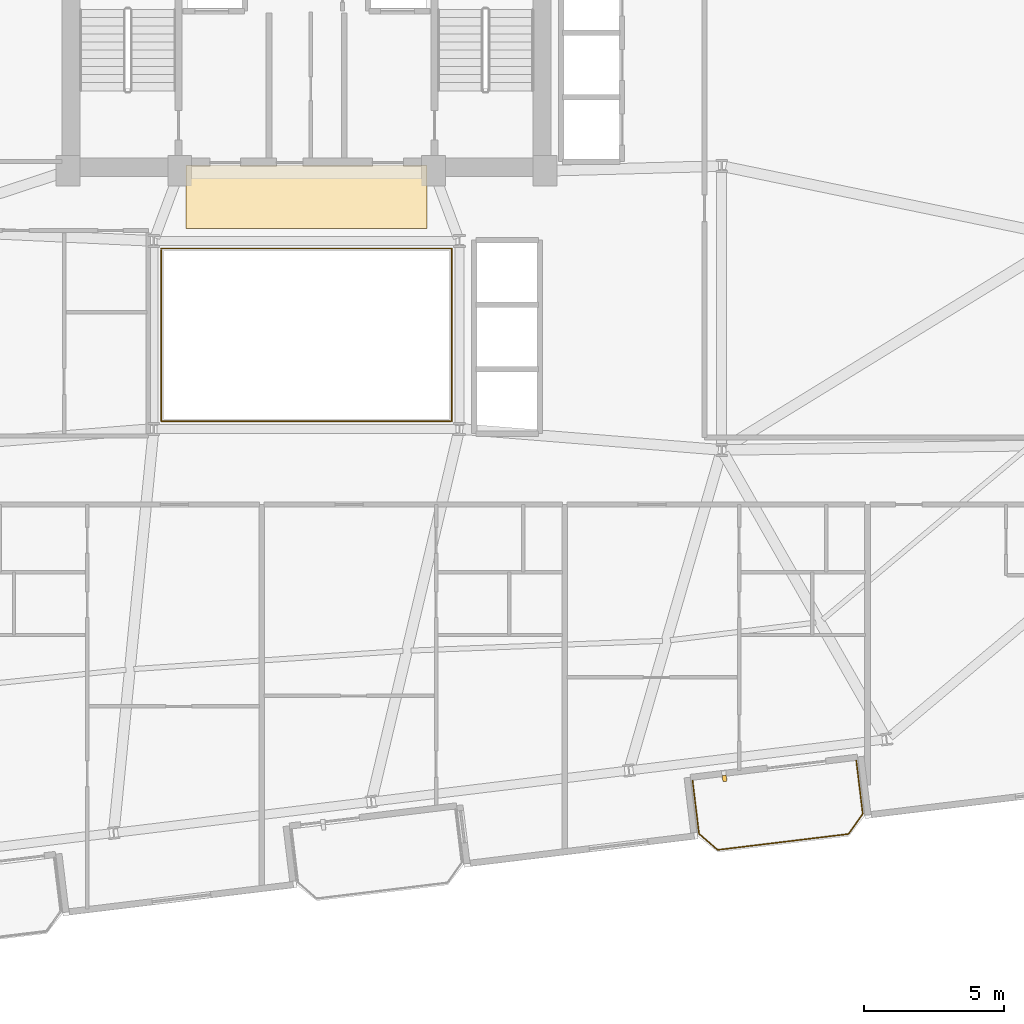
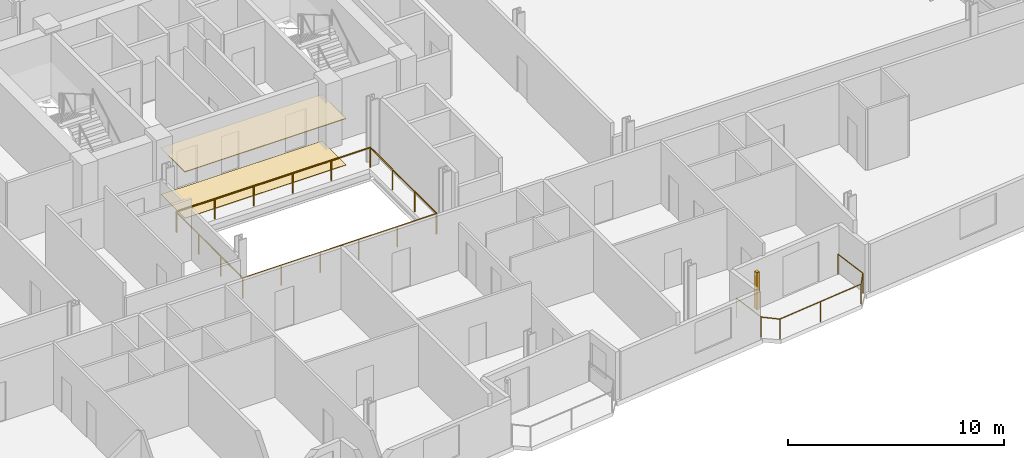
# One storey, part 22 of 24: 3 railings, 2 coverings, 1 shading device.
"""IFC4 building model written with IfcOpenShell, lengths in metres."""

from ifc_helpers import new_model, si_unit, direction, frame, origin, origin_2d, place, context, subcontext, project, spatial, rectangle, circle, extrude, source, transform, mapped, material, layer, layer_set, type_object, element, save


model = new_model("IFC4")

# Units and contexts
model_context = context("Model", 3, precision=1e-05, world=origin(), true_north=direction((0.0, 1.0)))
body_context = subcontext(model_context, "Body", "Model", "MODEL_VIEW")
ifc_project = project(units=[si_unit("LENGTHUNIT", "METRE"), si_unit("AREAUNIT", "SQUARE_METRE"), si_unit("VOLUMEUNIT", "CUBIC_METRE"), si_unit("PLANEANGLEUNIT", "RADIAN"), si_unit("MASSUNIT", "GRAM", prefix="KILO")], contexts=[model_context])

# Site, building, storey
site_placement = place(None, origin())
site = spatial("IfcSite", under=ifc_project, at=site_placement, CompositionType="ELEMENT")
building_placement = place(site_placement, origin())
building = spatial("IfcBuilding", under=site, at=building_placement, Name="Varnelok Gate Tower", CompositionType="ELEMENT")
storey_placement = place(building_placement, frame((0.0, 0.0, 167.199951171875)))
storey = spatial("IfcBuildingStorey", under=building, at=storey_placement, Name="L42", CompositionType="ELEMENT", Elevation=167.199951171875)

# Railings
ifc_material_1 = material(Name="Tempered Laminated Balustrade Glass", Category="glass")
railing_type_1 = type_object("IfcRailingType", Name="RL-ATR-GUARD1150", PredefinedType="GUARDRAIL", material=ifc_material_1)
railing_1_placement = place(storey_placement, frame((34.02001953125, 25.929931640625, 0.0)))
element("IfcRailing", 1, at=railing_1_placement, inside=storey, type_object=railing_type_1, Name="L42 Internal Atrium South-West Guardrail", PredefinedType="GUARDRAIL", context=body_context, shape_type="SweptSolid", body=[
    extrude(circle(Radius=0.02392578125, at=origin_2d()), frame((0.0, 0.0, 1.1259765625), z_axis=(0.0, -1.0, 0.0), x_axis=(1.0, 0.0, 0.0)), (0.0, 0.0, 1.0), 6.10986328125),
    extrude(circle(Radius=0.02392578125, at=origin_2d()), frame((0.0, -6.10986328125, 1.1259765625), z_axis=(1.0, 0.0, 0.0), x_axis=(0.0, 1.0, 0.0)), (0.0, 0.0, 1.0), 10.31005859375),
    extrude(circle(Radius=0.02099609375, at=origin_2d()), origin(), (0.0, 0.0, 1.0), 1.101806640625),
    extrude(circle(Radius=0.02099609375, at=origin_2d()), frame((0.0, -2.03662109375, 0.0)), (0.0, 0.0, 1.0), 1.101806640625),
    extrude(circle(Radius=0.02099609375, at=origin_2d()), frame((0.0, -4.0732421875, 0.0)), (0.0, 0.0, 1.0), 1.101806640625),
    extrude(circle(Radius=0.02099609375, at=origin_2d()), frame((0.0, -6.10986328125, 0.0)), (0.0, 0.0, 1.0), 1.101806640625),
    extrude(circle(Radius=0.02099609375, at=origin_2d()), frame((2.06201171875, -6.10986328125, 0.0)), (0.0, 0.0, 1.0), 1.101806640625),
    extrude(circle(Radius=0.02099609375, at=origin_2d()), frame((4.1240234375, -6.10986328125, 0.0)), (0.0, 0.0, 1.0), 1.101806640625),
    extrude(circle(Radius=0.02099609375, at=origin_2d()), frame((6.18603515625, -6.10986328125, 0.0)), (0.0, 0.0, 1.0), 1.101806640625),
    extrude(circle(Radius=0.02099609375, at=origin_2d()), frame((8.248046875, -6.10986328125, 0.0)), (0.0, 0.0, 1.0), 1.101806640625),
    extrude(circle(Radius=0.02099609375, at=origin_2d()), frame((10.31005859375, -6.10986328125, 0.0)), (0.0, 0.0, 1.0), 1.101806640625),
])
railing_2_placement = place(storey_placement, frame((44.3798828125, 19.820068359375, 0.0)))
element("IfcRailing", 2, at=railing_2_placement, inside=storey, type_object=railing_type_1, Name="L42 Internal Atrium North-East Guardrail", PredefinedType="GUARDRAIL", context=body_context, shape_type="SweptSolid", body=[
    extrude(circle(Radius=0.02392578125, at=origin_2d()), frame((0.0, 0.0, 1.1259765625), z_axis=(0.0, 1.0, 0.0), x_axis=(-1.0, 0.0, 0.0)), (0.0, 0.0, 1.0), 6.159912109375),
    extrude(circle(Radius=0.02392578125, at=origin_2d()), frame((0.0, 6.159912109375, 1.1259765625), z_axis=(-1.0, 0.0, 0.0), x_axis=(0.0, -1.0, 0.0)), (0.0, 0.0, 1.0), 10.35986328125),
    extrude(circle(Radius=0.02099609375, at=origin_2d()), origin(), (0.0, 0.0, 1.0), 1.101806640625),
    extrude(circle(Radius=0.02099609375, at=origin_2d()), frame((0.0, 2.05322265625, 0.0)), (0.0, 0.0, 1.0), 1.101806640625),
    extrude(circle(Radius=0.02099609375, at=origin_2d()), frame((0.0, 4.106689453125, 0.0)), (0.0, 0.0, 1.0), 1.101806640625),
    extrude(circle(Radius=0.02099609375, at=origin_2d()), frame((0.0, 6.159912109375, 0.0)), (0.0, 0.0, 1.0), 1.101806640625),
    extrude(circle(Radius=0.02099609375, at=origin_2d()), frame((-2.072021484375, 6.159912109375, 0.0)), (0.0, 0.0, 1.0), 1.101806640625),
    extrude(circle(Radius=0.02099609375, at=origin_2d()), frame((-4.14404296875, 6.159912109375, 0.0)), (0.0, 0.0, 1.0), 1.101806640625),
    extrude(circle(Radius=0.02099609375, at=origin_2d()), frame((-6.2158203125, 6.159912109375, 0.0)), (0.0, 0.0, 1.0), 1.101806640625),
    extrude(circle(Radius=0.02099609375, at=origin_2d()), frame((-8.287841796875, 6.159912109375, 0.0)), (0.0, 0.0, 1.0), 1.101806640625),
    extrude(circle(Radius=0.02099609375, at=origin_2d()), frame((-10.35986328125, 6.159912109375, 0.0)), (0.0, 0.0, 1.0), 1.101806640625),
])
ifc_material_2 = material(Name="Low-E Laminated Double Glazing IGU", Category="glass")
railing_type_2 = type_object("IfcRailingType", Name="RL-BALC-1150", PredefinedType="BALUSTRADE", material=ifc_material_2)
railing_3_placement = place(storey_placement, frame((52.95947265625, 7.023193359375, 0.0)))
element("IfcRailing", 3, at=railing_3_placement, inside=storey, type_object=railing_type_2, Name="L42 South Terrace Balustrade 3", PredefinedType="BALUSTRADE", context=body_context, shape_type="SweptSolid", body=[
    extrude(circle(Radius=0.02392578125, at=origin_2d()), frame((0.0, 0.0, 1.1259765625), z_axis=(0.12040351024, -0.992725034802, 0.0), x_axis=(0.992725034802, 0.12040351024, 0.0)), (0.0, 0.0, 1.0), 1.920166015625),
    extrude(circle(Radius=0.02392578125, at=origin_2d()), frame((0.231201171875, -1.90625, 1.1259765625), z_axis=(0.756303655992, -0.654220742513, 0.0), x_axis=(0.654220742513, 0.756303655992, 0.0)), (0.0, 0.0, 1.0), 0.877685546875),
    extrude(circle(Radius=0.02392578125, at=origin_2d()), frame((0.89501953125, -2.48046875, 1.1259765625), z_axis=(0.99273133746, 0.120351533534, 0.0), x_axis=(-0.120351533534, 0.99273133746, 0.0)), (0.0, 0.0, 1.0), 4.7001953125),
    extrude(circle(Radius=0.02392578125, at=origin_2d()), frame((5.56103515625, -1.914794921875, 1.1259765625), z_axis=(0.577971037086, 0.816057277579, 0.0), x_axis=(-0.816057277579, 0.577971037086, 0.0)), (0.0, 0.0, 1.0), 0.877685546875),
    extrude(circle(Radius=0.02392578125, at=origin_2d()), frame((6.068359375, -1.198486328125, 1.1259765625), z_axis=(-0.120293392036, 0.992738384386, 0.0), x_axis=(-0.992738384386, -0.120293392036, 0.0)), (0.0, 0.0, 1.0), 1.919921875),
    extrude(circle(Radius=0.02099609375, at=origin_2d()), origin(), (0.0, 0.0, 1.0), 1.101806640625),
    extrude(circle(Radius=0.02099609375, at=origin_2d()), frame((0.231201171875, -1.90625, 0.0)), (0.0, 0.0, 1.0), 1.101806640625),
    extrude(circle(Radius=0.02099609375, at=origin_2d()), frame((0.89501953125, -2.48046875, 0.0)), (0.0, 0.0, 1.0), 1.101806640625),
    extrude(circle(Radius=0.02099609375, at=origin_2d()), frame((3.22802734375, -2.19775390625, 0.0)), (0.0, 0.0, 1.0), 1.101806640625),
    extrude(circle(Radius=0.02099609375, at=origin_2d()), frame((5.56103515625, -1.914794921875, 0.0)), (0.0, 0.0, 1.0), 1.101806640625),
    extrude(circle(Radius=0.02099609375, at=origin_2d()), frame((6.068359375, -1.198486328125, 0.0)), (0.0, 0.0, 1.0), 1.101806640625),
    extrude(circle(Radius=0.02099609375, at=origin_2d()), frame((5.83740234375, 0.70751953125, 0.0)), (0.0, 0.0, 1.0), 1.101806640625),
])

# Shading device
ifc_material_3 = material(Name="Glazed Architectural Terracotta Ceramic", Category="masonry")
shading_device_type = type_object("IfcShadingDeviceType", Name="SHD-TERRA-BAGUETTE", PredefinedType="USERDEFINED", material=ifc_material_3)
shared_shape_1 = source(origin(), body_context, "Body", "SweptSolid", [
    extrude(rectangle(XDim=0.139892578125, YDim=0.219970703125, at=origin_2d()), origin(), (0.0, 0.0, 1.0), 2.10009765625),
])
shading_device_placement = place(storey_placement, frame((54.099609375, 7.0908203125, 0.10009765625), z_axis=(0.0, 0.0, 1.0), x_axis=(0.992732158755, 0.12034475881, 0.0)))
element("IfcShadingDevice", 4, at=shading_device_placement, inside=storey, type_object=shading_device_type, Name="L42 Terracotta Ceramic Baguette Sunscreen 3.1", ObjectType="BAGUETTE", PredefinedType="USERDEFINED", context=body_context, shape_type="MappedRepresentation", body=[
    mapped(shared_shape_1, transform((0.0, 0.0, 0.0), scale=1.0)),
])

# Coverings
ifc_material_4 = material(Name="Honed Travertine Stone Flooring", Category="masonry")
ifc_layer_1 = layer(ifc_material_4, 0.02490234375)
ifc_layer_set_1 = layer_set([ifc_layer_1], Name="Honed Travertine Stone Flooring")
covering_type_1 = type_object("IfcCoveringType", Name="COV-FLOR-STONE", PredefinedType="FLOORING", material=ifc_layer_set_1)
shared_shape_2 = source(origin(), body_context, "Body", "SweptSolid", [
    extrude(rectangle(XDim=8.60009765625, YDim=2.219970703125, at=origin_2d()), origin(), (0.0, 0.0, 1.0), 0.02490234375),
])
covering_1_placement = place(storey_placement, frame((39.199951171875, 27.800048828125, 0.0), z_axis=(0.0, 0.0, 1.0), x_axis=(1.0, 0.0, 0.0)))
element("IfcCovering", 5, at=covering_1_placement, inside=storey, type_object=covering_type_1, Name="L42 Core Gallery Stone Flooring", PredefinedType="FLOORING", context=body_context, shape_type="MappedRepresentation", body=[
    mapped(shared_shape_2, transform((0.0, 0.0, 0.0), scale=1.0)),
])
ifc_material_5 = material(Name="Mineral Fiber Acoustic Ceiling Tile")
ifc_layer_2 = layer(ifc_material_5, 0.0400390625)
ifc_layer_set_2 = layer_set([ifc_layer_2], Name="Mineral Fiber Acoustic Ceiling Tile")
covering_type_2 = type_object("IfcCoveringType", Name="COV-CEIL-ACOUST", PredefinedType="CEILING", material=ifc_layer_set_2)
shared_shape_3 = source(origin(), body_context, "Body", "SweptSolid", [
    extrude(rectangle(XDim=8.60009765625, YDim=2.239990234375, at=origin_2d()), origin(), (0.0, 0.0, 1.0), 0.0400390625),
])
covering_2_placement = place(storey_placement, frame((39.199951171875, 27.820068359375, 2.60009765625), z_axis=(0.0, 0.0, 1.0), x_axis=(1.0, 0.0, 0.0)))
element("IfcCovering", 6, at=covering_2_placement, inside=storey, type_object=covering_type_2, Name="L42 Core Gallery Acoustic Ceiling", PredefinedType="CEILING", context=body_context, shape_type="MappedRepresentation", body=[
    mapped(shared_shape_3, transform((0.0, 0.0, 0.0), scale=1.0)),
])

save(model, "model.ifc")
